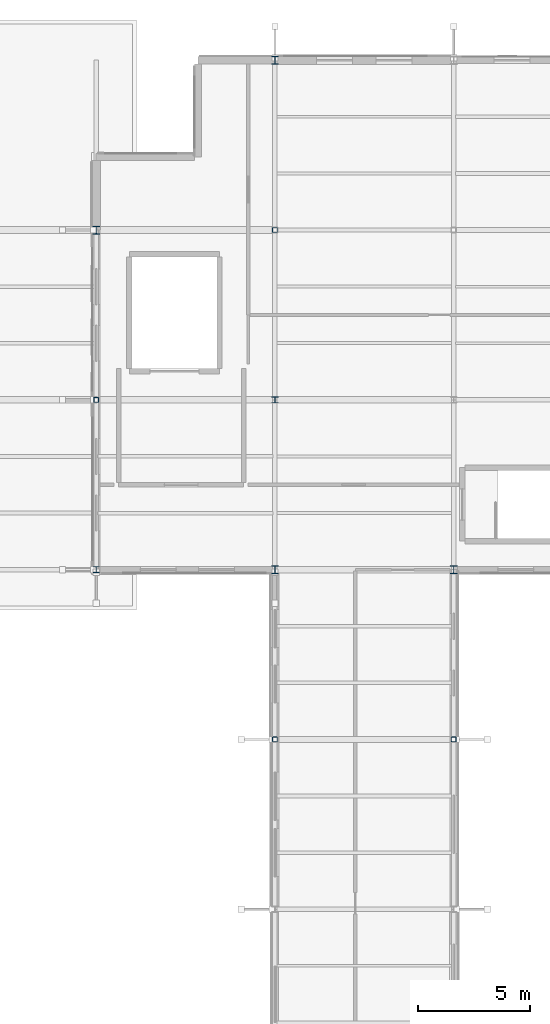
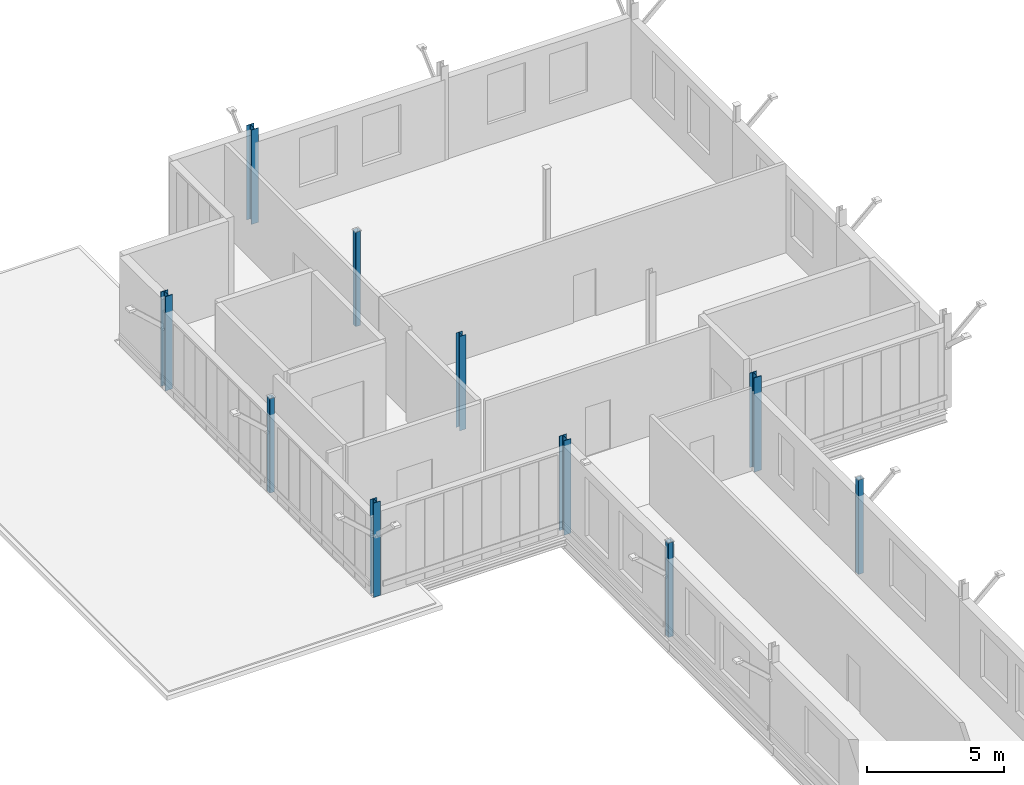
# One storey, part 9 of 101: 10 columns.
"""IFC4 building model written with IfcOpenShell, lengths in metres."""

from ifc_helpers import new_model, si_unit, direction, frame, origin, origin_2d, place, context, subcontext, project, spatial, hollow_rectangle, i_section, extrude, material, material_profile, profile_set, type_object, element, save


model = new_model("IFC4")

# Units and contexts
model_context = context("Model", 3, precision=1e-05, world=origin(), true_north=direction((0.0, 1.0)))
body_context = subcontext(model_context, "Body", "Model", "MODEL_VIEW")
ifc_project = project(units=[si_unit("LENGTHUNIT", "METRE"), si_unit("AREAUNIT", "SQUARE_METRE"), si_unit("VOLUMEUNIT", "CUBIC_METRE"), si_unit("PLANEANGLEUNIT", "RADIAN"), si_unit("MASSUNIT", "GRAM", prefix="KILO")], contexts=[model_context])

# Site, building, storey
site_placement = place(None, origin())
site = spatial("IfcSite", under=ifc_project, at=site_placement, CompositionType="ELEMENT")
building_placement = place(site_placement, origin())
building = spatial("IfcBuilding", under=site, at=building_placement, Name="Vekula Escarpment Museum", CompositionType="ELEMENT")
storey_placement = place(building_placement, frame((0.0, 0.0, 18.0)))
storey = spatial("IfcBuildingStorey", under=building, at=storey_placement, Name="L04", CompositionType="ELEMENT", Elevation=18.0)

# Columns
ifc_material_1 = material(Name="Steel S355", Category="steel")
ifc_material_profile_1 = material_profile(ifc_material_1, i_section(OverallWidth=0.280029296875, OverallDepth=0.27001953125, WebThickness=0.008056640625, FlangeThickness=0.012939453125, FilletRadius=0.02392578125, at=origin_2d()), Name="HEA 280")
ifc_profile_set_1 = profile_set([ifc_material_profile_1], Name="Steel S355")
column_type_1 = type_object("IfcColumnType", Name="COL-S-HEA280", PredefinedType="COLUMN", material=ifc_profile_set_1)
for number, where, z_axis, x_axis, name in (
    (1, (32.0, 113.199951171875, 0.0), (0.0, 0.0, 1.0), (1.0, 0.0, 0.0), "Column L04 (32.0,113.2)"),
    (2, (40.0, 120.800048828125, 0.0), (0.0, 0.0, 1.0), (1.0, 0.0, 0.0), "Column L04 (40.0,120.8)"),
):
    element("IfcColumn", number, at=place(storey_placement, frame(where, z_axis=z_axis, x_axis=x_axis)), inside=storey, type_object=column_type_1, Name=name, PredefinedType="COLUMN", context=body_context, shape_type="SweptSolid", body=[
        extrude(i_section(OverallWidth=0.280029296875, OverallDepth=0.27001953125, WebThickness=0.008056640625, FlangeThickness=0.012939453125, FilletRadius=0.02392578125, at=origin_2d()), origin(), (0.0, 0.0, 1.0), 4.199951171875),
    ])
ifc_material_2 = material(Name="Steel S355", Category="steel")
ifc_material_profile_2 = material_profile(ifc_material_2, i_section(OverallWidth=0.300048828125, OverallDepth=0.360107421875, WebThickness=0.012451171875, FlangeThickness=0.0224609375, FilletRadius=0.027099609375, at=origin_2d()), Name="HEB 360")
ifc_profile_set_2 = profile_set([ifc_material_profile_2], Name="Steel S355")
column_type_2 = type_object("IfcColumnType", Name="COL-S-HEB360", PredefinedType="COLUMN", material=ifc_profile_set_2)
for number, where, z_axis, x_axis, name in (
    (3, (32.0, 128.39990234375, 0.0), (0.0, 0.0, 1.0), (1.0, 0.0, 0.0), "Column L04 (32.0,128.4)"),
    (4, (40.0, 113.199951171875, 0.0), (0.0, 0.0, 1.0), (1.0, 0.0, 0.0), "Column L04 (40.0,113.2)"),
    (5, (40.0, 136.0, 0.0), (0.0, 0.0, 1.0), (1.0, 0.0, 0.0), "Column L04 (40.0,136.0)"),
    (6, (48.0, 113.199951171875, 0.0), (0.0, 0.0, 1.0), (1.0, 0.0, 0.0), "Column L04 (48.0,113.2)"),
):
    element("IfcColumn", number, at=place(storey_placement, frame(where, z_axis=z_axis, x_axis=x_axis)), inside=storey, type_object=column_type_2, Name=name, PredefinedType="COLUMN", context=body_context, shape_type="SweptSolid", body=[
        extrude(i_section(OverallWidth=0.300048828125, OverallDepth=0.360107421875, WebThickness=0.012451171875, FlangeThickness=0.0224609375, FilletRadius=0.027099609375, at=origin_2d()), origin(), (0.0, 0.0, 1.0), 4.199951171875),
    ])
ifc_material_3 = material(Name="Steel S355", Category="steel")
ifc_material_profile_3 = material_profile(ifc_material_3, hollow_rectangle(XDim=0.219970703125, YDim=0.219970703125, WallThickness=0.011962890625, InnerFilletRadius=0.011962890625, OuterFilletRadius=0.02392578125, at=origin_2d()), Name="SHS 220x220x12")
ifc_profile_set_3 = profile_set([ifc_material_profile_3], Name="Steel S355")
column_type_3 = type_object("IfcColumnType", Name="COL-S-SHS220", PredefinedType="COLUMN", material=ifc_profile_set_3)
for number, where, z_axis, x_axis, name in (
    (7, (32.0, 120.800048828125, 0.0), (0.0, 0.0, 1.0), (1.0, 0.0, 0.0), "Column L04 (32.0,120.8)"),
    (8, (40.0, 105.60009765625, 0.0), (0.0, 0.0, 1.0), (1.0, 0.0, 0.0), "Column L04 (40.0,105.6)"),
    (9, (40.0, 128.39990234375, 0.0), (0.0, 0.0, 1.0), (1.0, 0.0, 0.0), "Column L04 (40.0,128.4)"),
    (10, (48.0, 105.60009765625, 0.0), (0.0, 0.0, 1.0), (1.0, 0.0, 0.0), "Column L04 (48.0,105.6)"),
):
    element("IfcColumn", number, at=place(storey_placement, frame(where, z_axis=z_axis, x_axis=x_axis)), inside=storey, type_object=column_type_3, Name=name, PredefinedType="COLUMN", context=body_context, shape_type="SweptSolid", body=[
        extrude(hollow_rectangle(XDim=0.219970703125, YDim=0.219970703125, WallThickness=0.011962890625, InnerFilletRadius=0.011962890625, OuterFilletRadius=0.02392578125, at=origin_2d()), origin(), (0.0, 0.0, 1.0), 4.199951171875),
    ])

save(model, "model.ifc")
